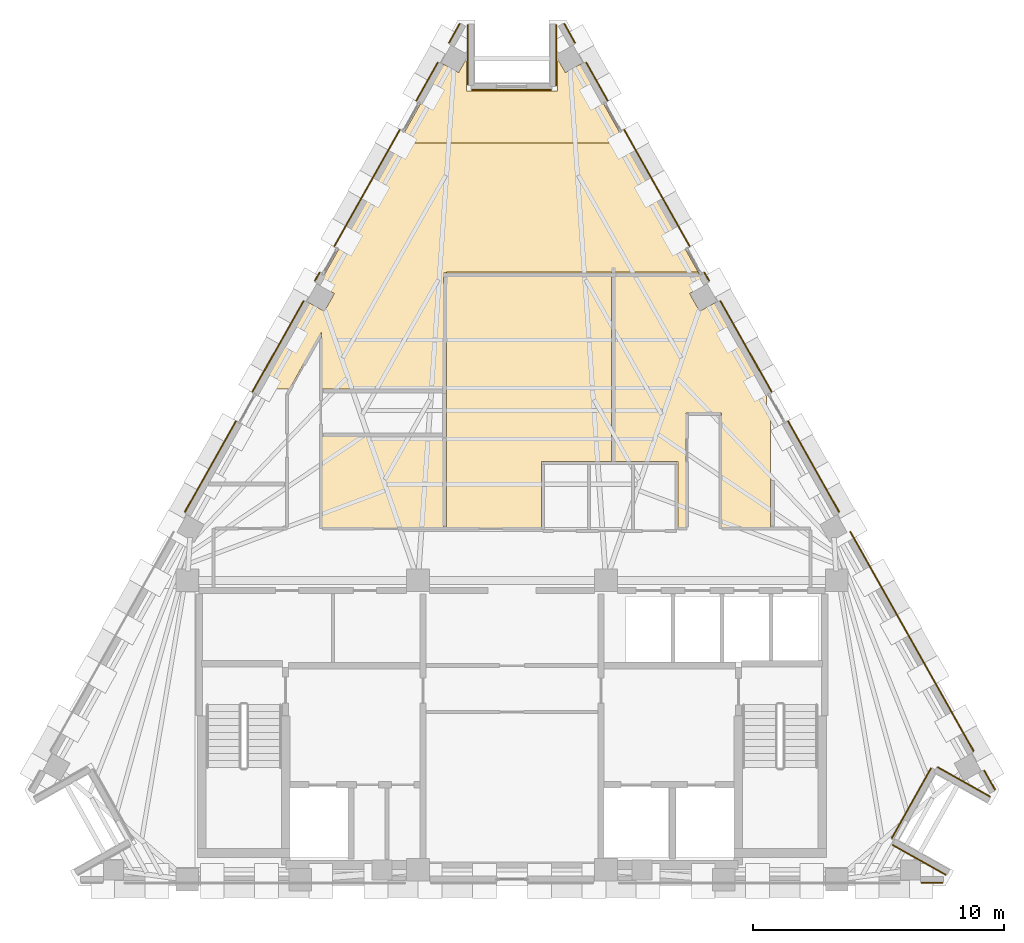
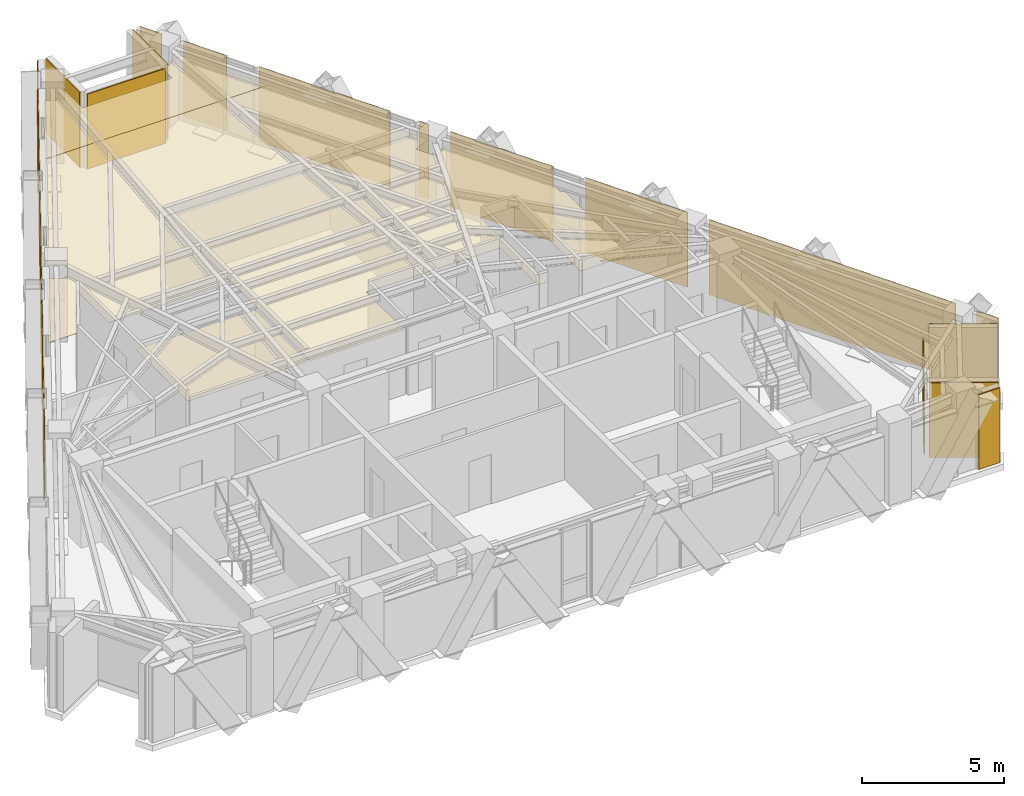
# One storey, part 9 of 9: 26 coverings.
"""IFC4 building model written with IfcOpenShell, lengths in metres."""

from ifc_helpers import new_model, si_unit, direction, frame, origin, place, context, subcontext, project, spatial, polyline, outline, extrude, material, layer, layer_set, type_object, element, save


model = new_model("IFC4")

# Units and contexts
model_context = context("Model", 3, precision=1e-05, world=origin(), true_north=direction((0.0, 1.0)))
body_context = subcontext(model_context, "Body", "Model", "MODEL_VIEW")
ifc_project = project(units=[si_unit("LENGTHUNIT", "METRE"), si_unit("AREAUNIT", "SQUARE_METRE"), si_unit("VOLUMEUNIT", "CUBIC_METRE"), si_unit("PLANEANGLEUNIT", "RADIAN"), si_unit("MASSUNIT", "GRAM", prefix="KILO")], contexts=[model_context])

# Site, building, storey
site_placement = place(None, origin())
site = spatial("IfcSite", under=ifc_project, at=site_placement, CompositionType="ELEMENT")
building_placement = place(site_placement, origin())
building = spatial("IfcBuilding", under=site, at=building_placement, Name="Quenlor Broadcast Tower", CompositionType="ELEMENT")
storey_placement = place(building_placement, frame((0.0, 0.0, 246.39990234375)))
storey = spatial("IfcBuildingStorey", under=building, at=storey_placement, Name="L68", CompositionType="ELEMENT", Elevation=246.39990234375)

# Coverings
ifc_material_1 = material(Name="Acoustic Mineral Fibre Board", Category="other")
ifc_layer_1 = layer(ifc_material_1, 0.02490234375)
ifc_layer_set_1 = layer_set([ifc_layer_1], Name="Acoustic Perforated Mineral Tile Ceiling 25")
covering_type_1 = type_object("IfcCoveringType", Name="Acoustic Perforated Mineral Tile Ceiling 25", PredefinedType="CEILING", material=ifc_layer_set_1)
covering_1_placement = place(storey_placement, frame((0.0, 0.0, 2.714599609375)))
element("IfcCovering", 1, at=covering_1_placement, inside=storey, type_object=covering_type_1, Name="L68 Acoustic Ceiling L68-23", PredefinedType="CEILING", context=body_context, shape_type="SweptSolid", body=[
    extrude(outline(polyline([(7.4345703125, 7.489501953125), (7.419189453125, 7.481689453125), (7.390625, 7.472900390625), (7.361083984375, 7.469970703125), (4.080078125, 7.469970703125), (4.05078125, 7.472900390625), (4.022705078125, 7.4814453125), (4.00341796875, 7.4765625), (3.974609375, 7.470703125), (-2.6201171875, 7.469970703125), (-2.6494140625, 7.472900390625), (-2.677490234375, 7.4814453125), (-2.696533203125, 7.4765625), (-2.725341796875, 7.470703125), (-2.739990234375, 2.847412109375), (-7.60009765625, 2.847412109375), (-7.60009765625, 5.114990234375), (-8.87548828125, 2.847412109375), (-10.0458984375, 2.847412109375), (-8.11181640625, 6.28564453125), (-7.48583984375, 5.93359375), (-7.0859375, 6.64501953125), (-7.711669921875, 6.996826171875), (-6.462158203125, 9.218017578125), (-4.53173828125, 12.64990234375), (4.53173828125, 12.64990234375), (7.4345703125, 7.489501953125)])), origin(), (0.0, 0.0, 1.0), 0.025146484375),
])
covering_2_placement = place(storey_placement, frame((0.0, 0.0, 2.714599609375)))
element("IfcCovering", 2, at=covering_2_placement, inside=storey, type_object=covering_type_1, Name="L68 Acoustic Ceiling L68-23-2", PredefinedType="CEILING", context=body_context, shape_type="SweptSolid", body=[
    extrude(outline(polyline([(-2.129150390625, 15.456787109375), (-1.808837890625, 16.0263671875), (-1.808837890625, 14.719970703125), (1.808837890625, 14.719970703125), (1.808837890625, 16.0263671875), (2.129150390625, 15.456787109375), (2.7548828125, 15.808837890625), (4.006591796875, 13.583740234375), (4.53173828125, 12.64990234375), (-4.53173828125, 12.64990234375), (-2.77001953125, 15.781982421875), (-2.7548828125, 15.808837890625), (-2.129150390625, 15.456787109375)])), origin(), (0.0, 0.0, 1.0), 0.025146484375),
])
covering_3_placement = place(storey_placement, frame((0.0, 0.0, 2.714599609375)))
element("IfcCovering", 3, at=covering_3_placement, inside=storey, type_object=covering_type_1, Name="L68 Acoustic Ceiling L68-24", PredefinedType="CEILING", context=body_context, shape_type="SweptSolid", body=[
    extrude(outline(polyline([(-2.6201171875, 7.5), (3.9599609375, 7.5), (3.9599609375, -0.06005859375), (1.179931640625, -0.06005859375), (1.179931640625, -2.699951171875), (-2.6201171875, -2.699951171875), (-2.6201171875, 7.5)])), origin(), (0.0, 0.0, 1.0), 0.025146484375),
])
covering_4_placement = place(storey_placement, frame((0.0, 0.0, 2.714599609375)))
element("IfcCovering", 4, at=covering_4_placement, inside=storey, type_object=covering_type_1, Name="L68 Acoustic Ceiling L68-25", PredefinedType="CEILING", context=body_context, shape_type="SweptSolid", body=[
    extrude(outline(polyline([(6.6201171875, -2.699951171875), (6.6201171875, -0.06005859375), (4.080078125, -0.06005859375), (4.080078125, 7.5), (7.4287109375, 7.5), (7.711669921875, 6.996826171875), (7.0859375, 6.64501953125), (7.48583984375, 5.93359375), (8.11181640625, 6.28564453125), (10.159912109375, 2.644287109375), (10.159912109375, 1.85009765625), (10.189208984375, 1.84716796875), (10.21728515625, 1.838623046875), (10.243408203125, 1.82470703125), (10.26611328125, 1.80615234375), (10.28466796875, 1.783203125), (10.298583984375, 1.75732421875), (10.30712890625, 1.729248046875), (10.31005859375, 1.699951171875), (10.31005859375, -2.699951171875), (8.35009765625, -2.699951171875), (8.35009765625, 1.85009765625), (8.35009765625, 1.8798828125), (6.949951171875, 1.8798828125), (6.949951171875, -2.699951171875), (6.6201171875, -2.699951171875)])), origin(), (0.0, 0.0, 1.0), 0.025146484375),
])
covering_5_placement = place(storey_placement, frame((0.0, 0.0, 2.714599609375)))
element("IfcCovering", 5, at=covering_5_placement, inside=storey, type_object=covering_type_1, Name="L68 Acoustic Ceiling L68-28", PredefinedType="CEILING", context=body_context, shape_type="SweptSolid", body=[
    extrude(outline(polyline([(-2.739990234375, 0.95458984375), (-2.739990234375, -2.699951171875), (-7.60009765625, -2.699951171875), (-7.60009765625, 0.95458984375), (-2.739990234375, 0.95458984375)])), origin(), (0.0, 0.0, 1.0), 0.025146484375),
])
ifc_material_2 = material(Name="Architectural Terracotta Ceramic", Category="masonry")
ifc_layer_2 = layer(ifc_material_2, 0.044921875)
ifc_layer_set_2 = layer_set([ifc_layer_2], Name="Fluted Terracotta Rainscreen Cladding Panel")
covering_type_2 = type_object("IfcCoveringType", Name="Fluted Terracotta Rainscreen Cladding Panel", PredefinedType="CLADDING", material=ifc_layer_set_2)
covering_6_placement = place(storey_placement, frame((0.0, 0.0, 0.02001953125)))
element("IfcCovering", 6, at=covering_6_placement, inside=storey, type_object=covering_type_2, Name="L68 Terracotta Rainscreen Cladding L68-SHD-SS0", PredefinedType="CLADDING", context=body_context, shape_type="SweptSolid", body=[
    extrude(outline(polyline([(17.18994140625, -16.8369140625), (16.33251953125, -16.8369140625), (16.33251953125, -16.882080078125), (17.18994140625, -16.882080078125), (17.18994140625, -16.8369140625)])), origin(), (0.0, 0.0, 1.0), 3.2099609375),
])
covering_7_placement = place(storey_placement, frame((0.0, 0.0, 0.02001953125)))
element("IfcCovering", 7, at=covering_7_placement, inside=storey, type_object=covering_type_2, Name="L68 Terracotta Rainscreen Cladding L68-SHD-NES0", PredefinedType="CLADDING", context=body_context, shape_type="SweptSolid", body=[
    extrude(outline(polyline([(2.06201171875, 17.401611328125), (2.495849609375, 16.630615234375), (2.534912109375, 16.652587890625), (2.101318359375, 17.423583984375), (2.06201171875, 17.401611328125)])), origin(), (0.0, 0.0, 1.0), 3.2099609375),
])
covering_8_placement = place(storey_placement, frame((0.0, 0.0, 0.02001953125)))
element("IfcCovering", 8, at=covering_8_placement, inside=storey, type_object=covering_type_2, Name="L68 Terracotta Rainscreen Cladding L68-SHD-NES1", PredefinedType="CLADDING", context=body_context, shape_type="SweptSolid", body=[
    extrude(outline(polyline([(18.820068359375, -12.39013671875), (19.25390625, -13.161376953125), (19.29296875, -13.139404296875), (18.859130859375, -12.3681640625), (18.820068359375, -12.39013671875)])), origin(), (0.0, 0.0, 1.0), 3.2099609375),
])
covering_9_placement = place(storey_placement, frame((0.0, 0.0, 0.02001953125)))
element("IfcCovering", 9, at=covering_9_placement, inside=storey, type_object=covering_type_2, Name="L68 Terracotta Rainscreen Cladding L68-NEA-SP1", PredefinedType="CLADDING", context=body_context, shape_type="SweptSolid", body=[
    extrude(outline(polyline([(2.94091796875, 15.859619140625), (3.8037109375, 14.325927734375), (3.8427734375, 14.347900390625), (2.980224609375, 15.881591796875), (2.94091796875, 15.859619140625)])), origin(), (0.0, 0.0, 1.0), 3.2099609375),
])
covering_10_placement = place(storey_placement, frame((0.0, 0.0, 0.02001953125)))
element("IfcCovering", 10, at=covering_10_placement, inside=storey, type_object=covering_type_2, Name="L68 Terracotta Rainscreen Cladding L68-NEA-SP2", PredefinedType="CLADDING", context=body_context, shape_type="SweptSolid", body=[
    extrude(outline(polyline([(4.450927734375, 13.17529296875), (7.0732421875, 8.51318359375), (7.1123046875, 8.53515625), (4.490234375, 13.197265625), (4.450927734375, 13.17529296875)])), origin(), (0.0, 0.0, 1.0), 3.2099609375),
])
covering_11_placement = place(storey_placement, frame((0.0, 0.0, 0.02001953125)))
element("IfcCovering", 11, at=covering_11_placement, inside=storey, type_object=covering_type_2, Name="L68 Terracotta Rainscreen Cladding L68-NEA-SP3", PredefinedType="CLADDING", context=body_context, shape_type="SweptSolid", body=[
    extrude(outline(polyline([(7.655517578125, 7.478271484375), (7.8515625, 7.129638671875), (7.890625, 7.151611328125), (7.694580078125, 7.500244140625), (7.655517578125, 7.478271484375)])), origin(), (0.0, 0.0, 1.0), 3.2099609375),
])
covering_12_placement = place(storey_placement, frame((0.0, 0.0, 0.02001953125)))
element("IfcCovering", 12, at=covering_12_placement, inside=storey, type_object=covering_type_2, Name="L68 Terracotta Rainscreen Cladding L68-EW-NEC", PredefinedType="CLADDING", context=body_context, shape_type="SweptSolid", body=[
    extrude(outline(polyline([(13.471923828125, -2.862060546875), (18.402099609375, -11.626953125), (18.44140625, -11.60498046875), (13.51123046875, -2.840087890625), (13.471923828125, -2.862060546875)])), origin(), (0.0, 0.0, 1.0), 3.2099609375),
])
covering_13_placement = place(storey_placement, frame((0.0, 0.0, 0.02001953125)))
element("IfcCovering", 13, at=covering_13_placement, inside=storey, type_object=covering_type_2, Name="L68 Terracotta Rainscreen Cladding L68-NE-SP1", PredefinedType="CLADDING", context=body_context, shape_type="SweptSolid", body=[
    extrude(outline(polyline([(8.295166015625, 6.3408203125), (10.343017578125, 2.700439453125), (10.382080078125, 2.722412109375), (8.33447265625, 6.36279296875), (8.295166015625, 6.3408203125)])), origin(), (0.0, 0.0, 1.0), 3.2099609375),
])
covering_14_placement = place(storey_placement, frame((0.0, 0.0, 0.02001953125)))
element("IfcCovering", 14, at=covering_14_placement, inside=storey, type_object=covering_type_2, Name="L68 Terracotta Rainscreen Cladding L68-NE-SP2", PredefinedType="CLADDING", context=body_context, shape_type="SweptSolid", body=[
    extrude(outline(polyline([(10.990234375, 1.5498046875), (13.0380859375, -2.0908203125), (13.0771484375, -2.068603515625), (11.029541015625, 1.57177734375), (10.990234375, 1.5498046875)])), origin(), (0.0, 0.0, 1.0), 3.2099609375),
])
covering_15_placement = place(storey_placement, frame((0.0, 0.0, 0.02001953125)))
element("IfcCovering", 15, at=covering_15_placement, inside=storey, type_object=covering_type_2, Name="L68 Terracotta Rainscreen Cladding L68-SHD-NWS1", PredefinedType="CLADDING", context=body_context, shape_type="SweptSolid", body=[
    extrude(outline(polyline([(-2.495849609375, 16.630615234375), (-2.06201171875, 17.401611328125), (-2.101318359375, 17.423583984375), (-2.534912109375, 16.652587890625), (-2.495849609375, 16.630615234375)])), origin(), (0.0, 0.0, 1.0), 3.2099609375),
])
covering_16_placement = place(storey_placement, frame((0.0, 0.0, 0.02001953125)))
element("IfcCovering", 16, at=covering_16_placement, inside=storey, type_object=covering_type_2, Name="L68 Terracotta Rainscreen Cladding L68-NWC-SP1", PredefinedType="CLADDING", context=body_context, shape_type="SweptSolid", body=[
    extrude(outline(polyline([(-7.8515625, 7.129638671875), (-7.655517578125, 7.478271484375), (-7.694580078125, 7.500244140625), (-7.890625, 7.151611328125), (-7.8515625, 7.129638671875)])), origin(), (0.0, 0.0, 1.0), 3.2099609375),
])
covering_17_placement = place(storey_placement, frame((0.0, 0.0, 0.02001953125)))
element("IfcCovering", 17, at=covering_17_placement, inside=storey, type_object=covering_type_2, Name="L68 Terracotta Rainscreen Cladding L68-NWC-SP2", PredefinedType="CLADDING", context=body_context, shape_type="SweptSolid", body=[
    extrude(outline(polyline([(-7.0732421875, 8.51318359375), (-4.450927734375, 13.17529296875), (-4.490234375, 13.197265625), (-7.1123046875, 8.53515625), (-7.0732421875, 8.51318359375)])), origin(), (0.0, 0.0, 1.0), 3.2099609375),
])
covering_18_placement = place(storey_placement, frame((0.0, 0.0, 0.02001953125)))
element("IfcCovering", 18, at=covering_18_placement, inside=storey, type_object=covering_type_2, Name="L68 Terracotta Rainscreen Cladding L68-NWC-SP3", PredefinedType="CLADDING", context=body_context, shape_type="SweptSolid", body=[
    extrude(outline(polyline([(-3.8037109375, 14.325927734375), (-2.94091796875, 15.859619140625), (-2.980224609375, 15.881591796875), (-3.8427734375, 14.347900390625), (-3.8037109375, 14.325927734375)])), origin(), (0.0, 0.0, 1.0), 3.2099609375),
])
covering_19_placement = place(storey_placement, frame((0.0, 0.0, 0.02001953125)))
element("IfcCovering", 19, at=covering_19_placement, inside=storey, type_object=covering_type_2, Name="L68 Terracotta Rainscreen Cladding L68-NW-SP1", PredefinedType="CLADDING", context=body_context, shape_type="SweptSolid", body=[
    extrude(outline(polyline([(-13.0380859375, -2.0908203125), (-10.990234375, 1.5498046875), (-11.029541015625, 1.57177734375), (-13.0771484375, -2.068603515625), (-13.0380859375, -2.0908203125)])), origin(), (0.0, 0.0, 1.0), 3.2099609375),
])
covering_20_placement = place(storey_placement, frame((0.0, 0.0, 0.02001953125)))
element("IfcCovering", 20, at=covering_20_placement, inside=storey, type_object=covering_type_2, Name="L68 Terracotta Rainscreen Cladding L68-NW-SP2", PredefinedType="CLADDING", context=body_context, shape_type="SweptSolid", body=[
    extrude(outline(polyline([(-10.343017578125, 2.700439453125), (-8.295166015625, 6.3408203125), (-8.33447265625, 6.36279296875), (-10.382080078125, 2.722412109375), (-10.343017578125, 2.700439453125)])), origin(), (0.0, 0.0, 1.0), 3.2099609375),
])
covering_21_placement = place(storey_placement, frame((0.0, 0.0, 0.02001953125)))
element("IfcCovering", 21, at=covering_21_placement, inside=storey, type_object=covering_type_2, Name="L68 Terracotta Rainscreen Cladding L68-CNR-01", PredefinedType="CLADDING", context=body_context, shape_type="SweptSolid", body=[
    extrude(outline(polyline([(17.32666015625, -16.529541015625), (15.199951171875, -15.333251953125), (15.177978515625, -15.372314453125), (17.3046875, -16.568603515625), (17.32666015625, -16.529541015625)])), origin(), (0.0, 0.0, 1.0), 3.2099609375),
])
covering_22_placement = place(storey_placement, frame((0.0, 0.0, 0.02001953125)))
element("IfcCovering", 22, at=covering_22_placement, inside=storey, type_object=covering_type_2, Name="L68 Terracotta Rainscreen Cladding L68-CNR-02", PredefinedType="CLADDING", context=body_context, shape_type="SweptSolid", body=[
    extrude(outline(polyline([(15.16552734375, -15.10498046875), (16.7421875, -12.302001953125), (16.702880859375, -12.280029296875), (15.126220703125, -15.0830078125), (15.16552734375, -15.10498046875)])), origin(), (0.0, 0.0, 1.0), 2.749755859375),
])
covering_23_placement = place(storey_placement, frame((0.0, 0.0, 0.02001953125)))
element("IfcCovering", 23, at=covering_23_placement, inside=storey, type_object=covering_type_2, Name="L68 Terracotta Rainscreen Cladding L68-CNR-03", PredefinedType="CLADDING", context=body_context, shape_type="SweptSolid", body=[
    extrude(outline(polyline([(16.970458984375, -12.267578125), (19.062255859375, -13.444091796875), (19.084228515625, -13.405029296875), (16.992431640625, -12.228271484375), (16.970458984375, -12.267578125)])), origin(), (0.0, 0.0, 1.0), 3.2099609375),
])
covering_24_placement = place(storey_placement, frame((0.0, 0.0, 0.02001953125)))
element("IfcCovering", 24, at=covering_24_placement, inside=storey, type_object=covering_type_2, Name="L68 Terracotta Rainscreen Cladding L68-CNR-07", PredefinedType="CLADDING", context=body_context, shape_type="SweptSolid", body=[
    extrude(outline(polyline([(1.74072265625, 17.3701171875), (1.74072265625, 14.929931640625), (1.785888671875, 14.929931640625), (1.785888671875, 17.3701171875), (1.74072265625, 17.3701171875)])), origin(), (0.0, 0.0, 1.0), 3.2099609375),
])
covering_25_placement = place(storey_placement, frame((0.0, 0.0, 0.02001953125)))
element("IfcCovering", 25, at=covering_25_placement, inside=storey, type_object=covering_type_2, Name="L68 Terracotta Rainscreen Cladding L68-CNR-08", PredefinedType="CLADDING", context=body_context, shape_type="SweptSolid", body=[
    extrude(outline(polyline([(1.558837890625, 14.7880859375), (-1.598876953125, 14.7880859375), (-1.598876953125, 14.742919921875), (1.558837890625, 14.742919921875), (1.558837890625, 14.7880859375)])), origin(), (0.0, 0.0, 1.0), 3.2099609375),
])
covering_26_placement = place(storey_placement, frame((0.0, 0.0, 0.02001953125)))
element("IfcCovering", 26, at=covering_26_placement, inside=storey, type_object=covering_type_2, Name="L68 Terracotta Rainscreen Cladding L68-CNR-09", PredefinedType="CLADDING", context=body_context, shape_type="SweptSolid", body=[
    extrude(outline(polyline([(-1.74072265625, 14.969970703125), (-1.74072265625, 17.3701171875), (-1.785888671875, 17.3701171875), (-1.785888671875, 14.969970703125), (-1.74072265625, 14.969970703125)])), origin(), (0.0, 0.0, 1.0), 3.2099609375),
])

save(model, "model.ifc")
